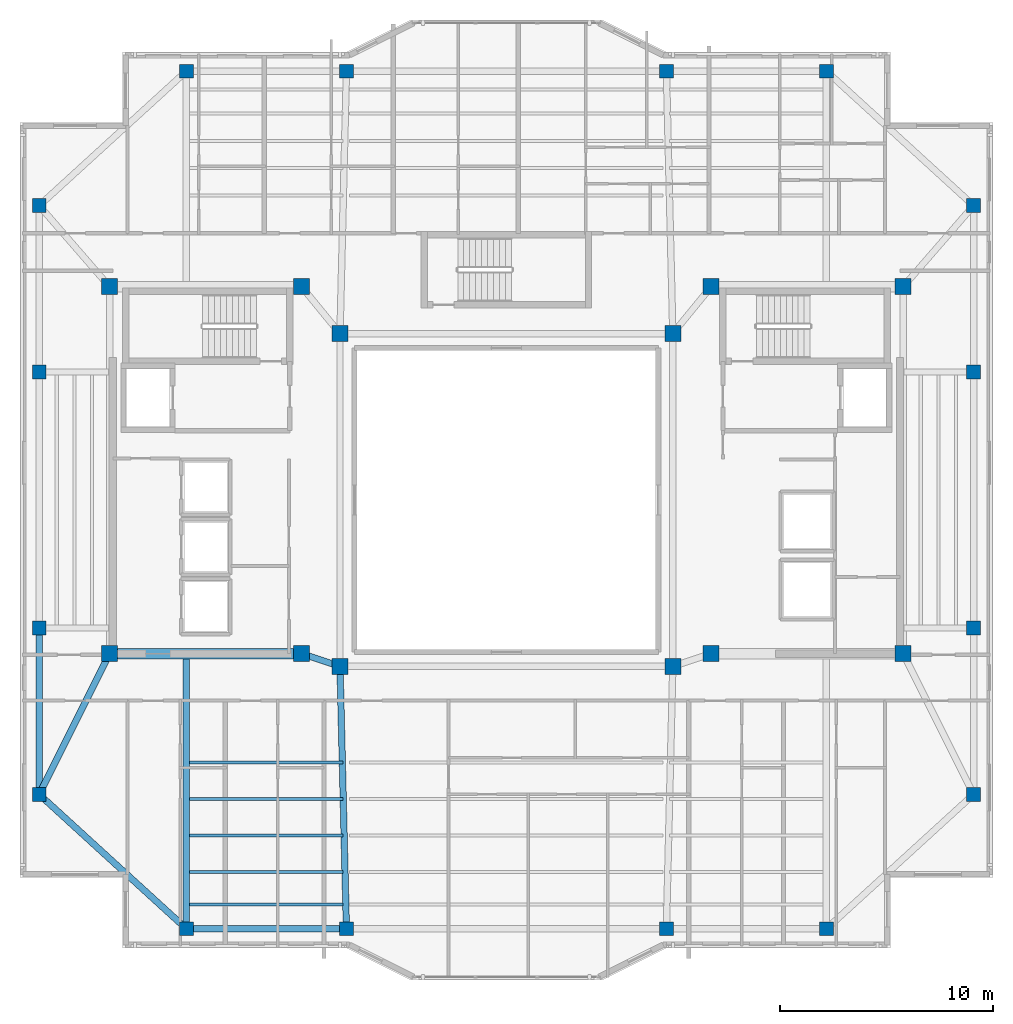
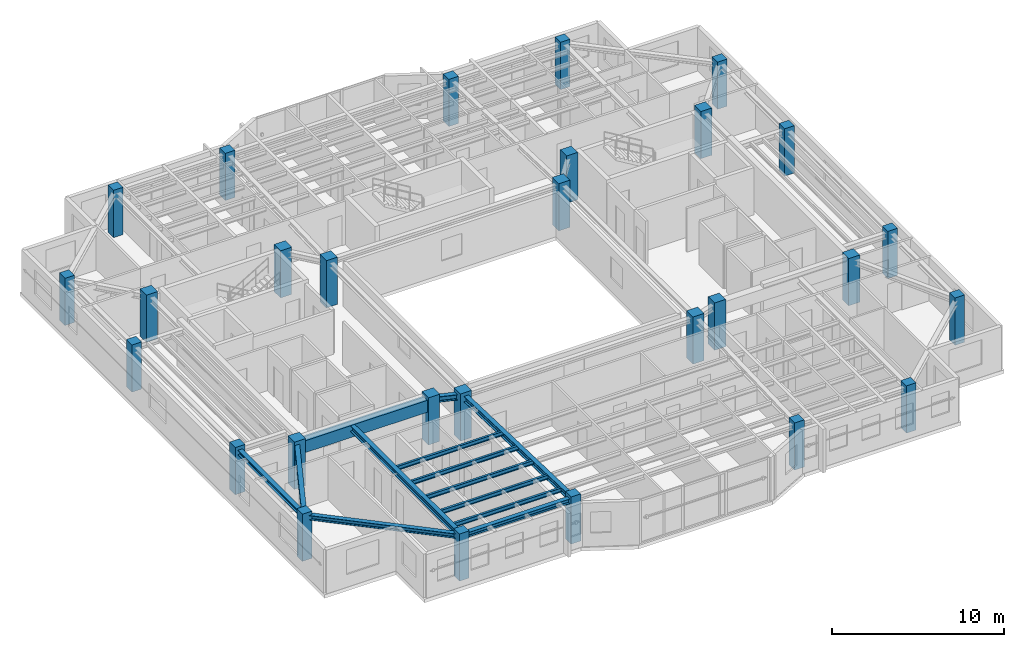
# One storey, part 1 of 14: 28 columns, 13 beams.
"""IFC4 building model written with IfcOpenShell, lengths in metres."""

from ifc_helpers import new_model, si_unit, direction, frame, origin, origin_2d, place, context, subcontext, project, spatial, rectangle, i_section, extrude, material, material_profile, profile_set, type_object, element, save


model = new_model("IFC4")

# Units and contexts
model_context = context("Model", 3, precision=1e-05, world=origin(), true_north=direction((0.0, 1.0)))
body_context = subcontext(model_context, "Body", "Model", "MODEL_VIEW")
ifc_project = project(units=[si_unit("LENGTHUNIT", "METRE"), si_unit("AREAUNIT", "SQUARE_METRE"), si_unit("VOLUMEUNIT", "CUBIC_METRE"), si_unit("PLANEANGLEUNIT", "RADIAN"), si_unit("MASSUNIT", "GRAM", prefix="KILO")], contexts=[model_context])

# Site, building, storey
site_placement = place(None, origin())
site = spatial("IfcSite", under=ifc_project, at=site_placement, CompositionType="ELEMENT")
building_placement = place(site_placement, origin())
building = spatial("IfcBuilding", under=site, at=building_placement, Name="Tarnavaz Court Tower", CompositionType="ELEMENT")
storey_placement = place(building_placement, frame((0.0, 0.0, 264.949951171875)))
storey = spatial("IfcBuildingStorey", under=building, at=storey_placement, Name="L72", CompositionType="ELEMENT", Elevation=264.949951171875)

# Columns
ifc_material_1 = material(Name="Concrete C50/60", Category="concrete")
ifc_material_profile_1 = material_profile(ifc_material_1, rectangle(XDim=0.64990234375, YDim=0.64990234375, at=origin_2d()), Name="RC 650X650")
ifc_profile_set_1 = profile_set([ifc_material_profile_1], Name="Concrete C50/60")
column_type_1 = type_object("IfcColumnType", Name="CL-RC650", PredefinedType="COLUMN", material=ifc_profile_set_1)
for number, where, z_axis, x_axis, name in (
    (1, (-15.0, 20.10009765625, 0.0), (0.0, 0.0, 1.0), (1.0, 0.0, 0.0), "L72 Column PN-1"),
    (2, (-7.5, 20.10009765625, 0.0), (0.0, 0.0, 1.0), (1.0, 0.0, 0.0), "L72 Column PN-2"),
    (3, (7.5, 20.10009765625, 0.0), (0.0, 0.0, 1.0), (1.0, 0.0, 0.0), "L72 Column PN-3"),
    (4, (15.0, 20.10009765625, 0.0), (0.0, 0.0, 1.0), (1.0, 0.0, 0.0), "L72 Column PN-4"),
    (5, (-15.0, -20.10009765625, 0.0), (0.0, 0.0, 1.0), (1.0, 0.0, 0.0), "L72 Column PS-1"),
    (6, (-7.5, -20.10009765625, 0.0), (0.0, 0.0, 1.0), (1.0, 0.0, 0.0), "L72 Column PS-2"),
    (7, (7.5, -20.10009765625, 0.0), (0.0, 0.0, 1.0), (1.0, 0.0, 0.0), "L72 Column PS-3"),
    (8, (15.0, -20.10009765625, 0.0), (0.0, 0.0, 1.0), (1.0, 0.0, 0.0), "L72 Column PS-4"),
    (9, (21.89990234375, -13.800048828125, 0.0), (0.0, 0.0, 1.0), (1.0, 0.0, 0.0), "L72 Column PE-1"),
    (10, (21.89990234375, -6.0, 0.0), (0.0, 0.0, 1.0), (1.0, 0.0, 0.0), "L72 Column PE-2"),
    (11, (21.89990234375, 6.0, 0.0), (0.0, 0.0, 1.0), (1.0, 0.0, 0.0), "L72 Column PE-3"),
    (12, (21.89990234375, 13.800048828125, 0.0), (0.0, 0.0, 1.0), (1.0, 0.0, 0.0), "L72 Column PE-4"),
    (13, (-21.89990234375, -13.800048828125, 0.0), (0.0, 0.0, 1.0), (1.0, 0.0, 0.0), "L72 Column PW-1"),
    (14, (-21.89990234375, -6.0, 0.0), (0.0, 0.0, 1.0), (1.0, 0.0, 0.0), "L72 Column PW-2"),
    (15, (-21.89990234375, 6.0, 0.0), (0.0, 0.0, 1.0), (1.0, 0.0, 0.0), "L72 Column PW-3"),
    (16, (-21.89990234375, 13.800048828125, 0.0), (0.0, 0.0, 1.0), (1.0, 0.0, 0.0), "L72 Column PW-4"),
):
    element("IfcColumn", number, at=place(storey_placement, frame(where, z_axis=z_axis, x_axis=x_axis)), inside=storey, type_object=column_type_1, Name=name, PredefinedType="COLUMN", context=body_context, shape_type="SweptSolid", body=[
        extrude(rectangle(XDim=0.64990234375, YDim=0.64990234375, at=origin_2d()), origin(), (0.0, 0.0, 1.0), 3.35009765625),
    ])
ifc_material_profile_2 = material_profile(ifc_material_1, rectangle(XDim=0.75, YDim=0.75, at=origin_2d()), Name="RC 750X750")
ifc_profile_set_2 = profile_set([ifc_material_profile_2], Name="Concrete C50/60")
column_type_2 = type_object("IfcColumnType", Name="CL-RC750", PredefinedType="COLUMN", material=ifc_profile_set_2)
for number, where, z_axis, x_axis, name in (
    (17, (-7.800048828125, -7.800048828125, 0.0), (0.0, 0.0, 1.0), (1.0, 0.0, 0.0), "L72 Column IW-SW"),
    (18, (7.800048828125, -7.800048828125, 0.0), (0.0, 0.0, 1.0), (1.0, 0.0, 0.0), "L72 Column IW-SE"),
    (19, (-7.800048828125, 7.800048828125, 0.0), (0.0, 0.0, 1.0), (1.0, 0.0, 0.0), "L72 Column IW-NW"),
    (20, (7.800048828125, 7.800048828125, 0.0), (0.0, 0.0, 1.0), (1.0, 0.0, 0.0), "L72 Column IW-NE"),
    (21, (-9.60009765625, -7.199951171875, 0.0), (0.0, 0.0, 1.0), (1.0, 0.0, 0.0), "L72 Column CW-SI"),
    (22, (-9.60009765625, 10.0, 0.0), (0.0, 0.0, 1.0), (1.0, 0.0, 0.0), "L72 Column CW-NI"),
    (23, (9.60009765625, -7.199951171875, 0.0), (0.0, 0.0, 1.0), (1.0, 0.0, 0.0), "L72 Column CE-SI"),
    (24, (9.60009765625, 10.0, 0.0), (0.0, 0.0, 1.0), (1.0, 0.0, 0.0), "L72 Column CE-NI"),
    (25, (-18.60009765625, -7.199951171875, 0.0), (0.0, 0.0, 1.0), (1.0, 0.0, 0.0), "L72 Column CW-SO"),
    (26, (-18.60009765625, 10.0, 0.0), (0.0, 0.0, 1.0), (1.0, 0.0, 0.0), "L72 Column CW-NO"),
    (27, (18.60009765625, -7.199951171875, 0.0), (0.0, 0.0, 1.0), (1.0, 0.0, 0.0), "L72 Column CE-SO"),
    (28, (18.60009765625, 10.0, 0.0), (0.0, 0.0, 1.0), (1.0, 0.0, 0.0), "L72 Column CE-NO"),
):
    element("IfcColumn", number, at=place(storey_placement, frame(where, z_axis=z_axis, x_axis=x_axis)), inside=storey, type_object=column_type_2, Name=name, PredefinedType="COLUMN", context=body_context, shape_type="SweptSolid", body=[
        extrude(rectangle(XDim=0.75, YDim=0.75, at=origin_2d()), origin(), (0.0, 0.0, 1.0), 3.35009765625),
    ])

# Beams
ifc_material_profile_3 = material_profile(ifc_material_1, rectangle(XDim=0.5, YDim=0.85009765625, at=origin_2d()), Name="RC 500X850")
ifc_profile_set_3 = profile_set([ifc_material_profile_3], Name="Concrete C50/60")
beam_type_1 = type_object("IfcBeamType", Name="BM-CB850", PredefinedType="LINTEL", material=ifc_profile_set_3)
beam_1_placement = place(storey_placement, frame((-18.3798828125, -7.199951171875, 2.675048828125), z_axis=(1.0, 0.0, 0.0), x_axis=(0.0, 1.0, 0.0)))
element("IfcBeam", 29, at=beam_1_placement, inside=storey, type_object=beam_type_1, Name="L72 Beam IN-CW-SO-CW-SI", PredefinedType="LINTEL", context=body_context, shape_type="SweptSolid", body=[
    extrude(rectangle(XDim=0.5, YDim=0.85009765625, at=origin_2d()), origin(), (0.0, 0.0, 1.0), 8.559814453125),
])
ifc_material_2 = material(Name="Steel S355", Category="steel")
ifc_material_profile_4 = material_profile(ifc_material_2, i_section(OverallWidth=0.300048828125, OverallDepth=0.39990234375, WebThickness=0.013427734375, FlangeThickness=0.02392578125, FilletRadius=0.027099609375, at=origin_2d()), Name="HEB 400")
ifc_profile_set_4 = profile_set([ifc_material_profile_4], Name="Steel S355")
beam_type_2 = type_object("IfcBeamType", Name="BM-G-HEB400", PredefinedType="USERDEFINED", material=ifc_profile_set_4)
beam_2_placement = place(storey_placement, frame((-9.391357421875, -7.26953125, 2.900146484375), z_axis=(0.948666544706, -0.316278021615, 0.0), x_axis=(0.316278021615, 0.948666544706, 0.0)))
element("IfcBeam", 30, at=beam_2_placement, inside=storey, type_object=beam_type_2, Name="L72 Beam IN-CW-SI-IW-SW", ObjectType="GIRDER", PredefinedType="USERDEFINED", context=body_context, shape_type="SweptSolid", body=[
    extrude(i_section(OverallWidth=0.300048828125, OverallDepth=0.39990234375, WebThickness=0.013427734375, FlangeThickness=0.02392578125, FilletRadius=0.027099609375, at=origin_2d()), origin(), (0.0, 0.0, 1.0), 1.457275390625),
])
beam_3_placement = place(storey_placement, frame((-15.0, -7.239990234375, 2.900146484375), z_axis=(0.0, -1.0, 0.0), x_axis=(1.0, 0.0, 0.0)))
element("IfcBeam", 31, at=beam_3_placement, inside=storey, type_object=beam_type_2, Name="L72 Beam RG-05", ObjectType="GIRDER", PredefinedType="USERDEFINED", context=body_context, shape_type="SweptSolid", body=[
    extrude(i_section(OverallWidth=0.300048828125, OverallDepth=0.39990234375, WebThickness=0.013427734375, FlangeThickness=0.02392578125, FilletRadius=0.027099609375, at=origin_2d()), origin(), (0.0, 0.0, 1.0), 12.639892578125),
])
beam_4_placement = place(storey_placement, frame((-7.794677734375, -8.02001953125, 2.900146484375), z_axis=(0.024386002211, -0.99970261723, 0.0), x_axis=(0.99970261723, 0.024386002211, 0.0)))
element("IfcBeam", 32, at=beam_4_placement, inside=storey, type_object=beam_type_2, Name="L72 Beam RG-06", ObjectType="GIRDER", PredefinedType="USERDEFINED", context=body_context, shape_type="SweptSolid", body=[
    extrude(i_section(OverallWidth=0.300048828125, OverallDepth=0.39990234375, WebThickness=0.013427734375, FlangeThickness=0.02392578125, FilletRadius=0.027099609375, at=origin_2d()), origin(), (0.0, 0.0, 1.0), 11.863525390625),
])
beam_5_placement = place(storey_placement, frame((-18.698486328125, -7.396728515625, 2.900146484375), z_axis=(-0.447185448279, -0.894441264057, 0.0), x_axis=(0.894441264057, -0.447185448279, 0.0)))
element("IfcBeam", 33, at=beam_5_placement, inside=storey, type_object=beam_type_2, Name="L72 Beam RG-15", ObjectType="GIRDER", PredefinedType="USERDEFINED", context=body_context, shape_type="SweptSolid", body=[
    extrude(i_section(OverallWidth=0.300048828125, OverallDepth=0.39990234375, WebThickness=0.013427734375, FlangeThickness=0.02392578125, FilletRadius=0.027099609375, at=origin_2d()), origin(), (0.0, 0.0, 1.0), 6.93896484375),
])
ifc_material_profile_5 = material_profile(ifc_material_2, i_section(OverallWidth=0.14990234375, OverallDepth=0.300048828125, WebThickness=0.007080078125, FlangeThickness=0.0107421875, FilletRadius=0.014892578125, at=origin_2d()), Name="IPE 300")
ifc_profile_set_5 = profile_set([ifc_material_profile_5], Name="Steel S355")
beam_type_3 = type_object("IfcBeamType", Name="BM-J-IPE300", PredefinedType="JOIST", material=ifc_profile_set_5)
for number, where, z_axis, x_axis, name in (
    (34, (-14.85009765625, -12.31005859375, 2.949951171875), (1.0, 0.0, 0.0), (0.0, 1.0, 0.0), "L72 Beam JS1-1"),
    (35, (-14.85009765625, -14.02001953125, 2.949951171875), (1.0, 0.0, 0.0), (0.0, 1.0, 0.0), "L72 Beam JS2-1"),
    (36, (-14.85009765625, -15.72998046875, 2.949951171875), (1.0, 0.0, 0.0), (0.0, 1.0, 0.0), "L72 Beam JS3-1"),
    (37, (-14.85009765625, -17.43994140625, 2.949951171875), (1.0, 0.0, 0.0), (0.0, 1.0, 0.0), "L72 Beam JS4-1"),
    (38, (-14.85009765625, -18.9599609375, 2.949951171875), (1.0, 0.0, 0.0), (0.0, 1.0, 0.0), "L72 Beam JS5-1"),
):
    element("IfcBeam", number, at=place(storey_placement, frame(where, z_axis=z_axis, x_axis=x_axis)), inside=storey, type_object=beam_type_3, Name=name, PredefinedType="JOIST", context=body_context, shape_type="SweptSolid", body=[
        extrude(i_section(OverallWidth=0.14990234375, OverallDepth=0.300048828125, WebThickness=0.007080078125, FlangeThickness=0.0107421875, FilletRadius=0.014892578125, at=origin_2d()), origin(), (0.0, 0.0, 1.0), 7.2001953125),
    ])
ifc_material_profile_6 = material_profile(ifc_material_2, i_section(OverallWidth=0.300048828125, OverallDepth=0.330078125, WebThickness=0.009521484375, FlangeThickness=0.0166015625, FilletRadius=0.027099609375, at=origin_2d()), Name="HEA 340")
ifc_profile_set_6 = profile_set([ifc_material_profile_6], Name="Steel S355")
beam_type_4 = type_object("IfcBeamType", Name="BM-SP-HEA340", PredefinedType="BEAM", material=ifc_profile_set_6)
beam_6_placement = place(storey_placement, frame((-14.780029296875, -20.10009765625, 2.93505859375), z_axis=(1.0, 0.0, 0.0), x_axis=(0.0, 1.0, 0.0)))
element("IfcBeam", 39, at=beam_6_placement, inside=storey, type_object=beam_type_4, Name="L72 Beam PR-PS-1-PS-2", PredefinedType="BEAM", context=body_context, shape_type="SweptSolid", body=[
    extrude(i_section(OverallWidth=0.300048828125, OverallDepth=0.330078125, WebThickness=0.009521484375, FlangeThickness=0.0166015625, FilletRadius=0.027099609375, at=origin_2d()), origin(), (0.0, 0.0, 1.0), 7.06005859375),
])
beam_7_placement = place(storey_placement, frame((-21.89990234375, -13.580078125, 2.93505859375), z_axis=(0.0, 1.0, 0.0), x_axis=(-1.0, 0.0, 0.0)))
element("IfcBeam", 40, at=beam_7_placement, inside=storey, type_object=beam_type_4, Name="L72 Beam PR-PW-1-PW-2", PredefinedType="BEAM", context=body_context, shape_type="SweptSolid", body=[
    extrude(i_section(OverallWidth=0.300048828125, OverallDepth=0.330078125, WebThickness=0.009521484375, FlangeThickness=0.0166015625, FilletRadius=0.027099609375, at=origin_2d()), origin(), (0.0, 0.0, 1.0), 7.360107421875),
])
beam_8_placement = place(storey_placement, frame((-15.16259765625, -19.95166015625, 2.93505859375), z_axis=(-0.738474214476, 0.674281717499, 0.0), x_axis=(-0.674281717499, -0.738474214476, 0.0)))
element("IfcBeam", 41, at=beam_8_placement, inside=storey, type_object=beam_type_4, Name="L72 Beam PR-PS-1-PW-1", PredefinedType="BEAM", context=body_context, shape_type="SweptSolid", body=[
    extrude(i_section(OverallWidth=0.300048828125, OverallDepth=0.330078125, WebThickness=0.009521484375, FlangeThickness=0.0166015625, FilletRadius=0.027099609375, at=origin_2d()), origin(), (0.0, 0.0, 1.0), 8.9033203125),
])

save(model, "model.ifc")
